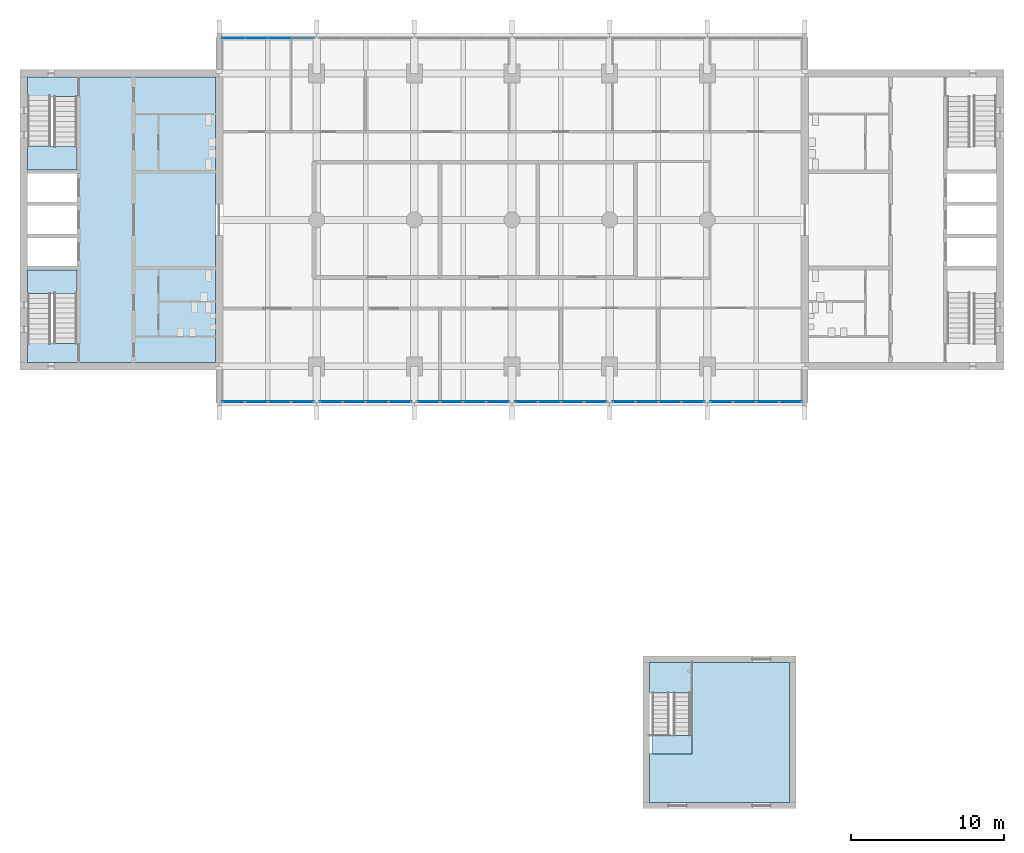
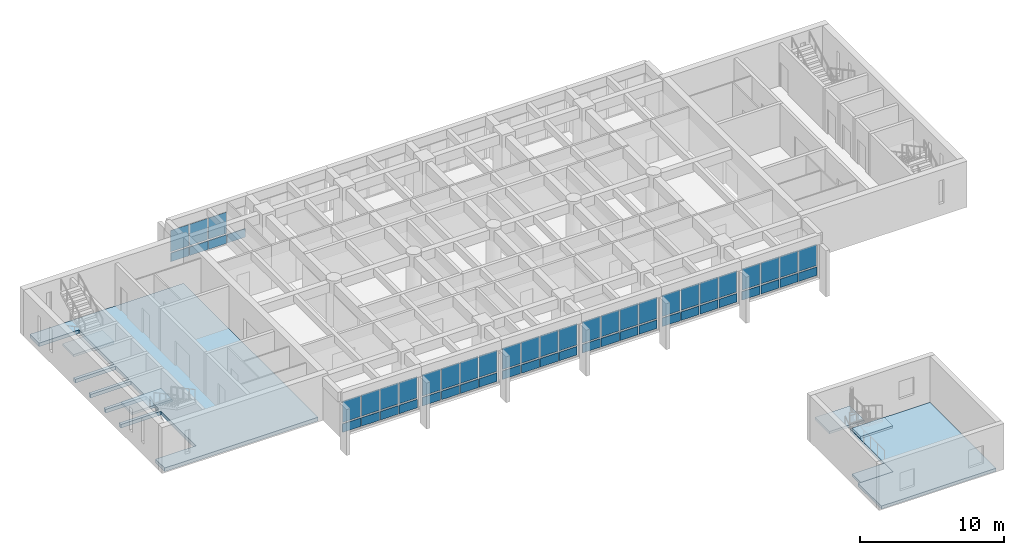
# One storey, part 7 of 19: 55 plates, 7 slabs, 10 elements without a shape of their own.
"""IFC4 building model written with IfcOpenShell, lengths in metres."""

from ifc_helpers import new_model, si_unit, direction, frame, origin, origin_2d, place, context, subcontext, project, spatial, polyline, rectangle, outline, extrude, material, layer, layer_set, type_object, element, aggregate, save


model = new_model("IFC4")

# Units and contexts
model_context = context("Model", 3, precision=1e-05, world=origin(), true_north=direction((0.0, 1.0)))
body_context = subcontext(model_context, "Body", "Model", "MODEL_VIEW")
ifc_project = project(units=[si_unit("LENGTHUNIT", "METRE"), si_unit("AREAUNIT", "SQUARE_METRE"), si_unit("VOLUMEUNIT", "CUBIC_METRE"), si_unit("PLANEANGLEUNIT", "RADIAN"), si_unit("MASSUNIT", "GRAM", prefix="KILO")], contexts=[model_context])

# Site, building, storey
site_placement = place(None, origin())
site = spatial("IfcSite", under=ifc_project, at=site_placement, CompositionType="ELEMENT")
building_placement = place(site_placement, origin())
building = spatial("IfcBuilding", under=site, at=building_placement, Name="Fogon Plaza Fire Station and Headquarters Tower", CompositionType="ELEMENT")
storey_placement = place(building_placement, frame((0.0, 0.0, 21.0)))
storey = spatial("IfcBuildingStorey", under=building, at=storey_placement, Name="L05", CompositionType="ELEMENT", Elevation=21.0)

# Slab
ifc_material_1 = material(Name="Concrete C40", Category="concrete")
ifc_layer_1 = layer(ifc_material_1, 0.300048828125)
ifc_layer_set_1 = layer_set([ifc_layer_1], Name="Concrete C40")
slab_type_1 = type_object("IfcSlabType", Name="Core Floor Slab RC 300", PredefinedType="FLOOR", material=ifc_layer_set_1)
slab_1_placement = place(storey_placement, frame((0.0, 0.0, -0.300048828125)))
element("IfcSlab", 1, at=slab_1_placement, inside=storey, type_object=slab_type_1, Name="Core A floor", PredefinedType="FLOOR", context=body_context, shape_type="SweptSolid", body=[
    extrude(outline(polyline([(13.050048828125, 35.110107421875), (13.050048828125, 33.85009765625), (25.35009765625, 33.85009765625), (25.35009765625, 52.550048828125), (13.050048828125, 52.550048828125), (13.050048828125, 51.2900390625), (16.27490234375, 51.2900390625), (16.27490234375, 46.47509765625), (13.050048828125, 46.47509765625), (13.050048828125, 46.22509765625), (16.27490234375, 46.22509765625), (16.27490234375, 44.375), (13.050048828125, 44.375), (13.050048828125, 44.125), (16.27490234375, 44.125), (16.27490234375, 42.27490234375), (13.050048828125, 42.27490234375), (13.050048828125, 42.02490234375), (16.27490234375, 42.02490234375), (16.27490234375, 40.175048828125), (13.050048828125, 40.175048828125), (13.050048828125, 39.925048828125), (16.27490234375, 39.925048828125), (16.27490234375, 35.110107421875), (13.050048828125, 35.110107421875)])), origin(), (0.0, 0.0, 1.0), 0.300048828125),
])

# Stair, slabs
ifc_material_2 = material(Name="Concrete C40", Category="concrete")
stair_type_1 = type_object("IfcStairType", Name="Drill Stair 1100", PredefinedType="HALF_TURN_STAIR", material=ifc_material_2)
stair_1_placement = place(storey_placement, origin())
stair_1 = element("IfcStair", 2, at=stair_1_placement, inside=storey, type_object=stair_type_1, Name="DT1", PredefinedType="HALF_TURN_STAIR")
ifc_material_3 = material(Name="Concrete C40", Category="concrete")
ifc_layer_2 = layer(ifc_material_3, 0.199951171875)
ifc_layer_set_2 = layer_set([ifc_layer_2], Name="Concrete C40")
slab_type_2 = type_object("IfcSlabType", Name="Drill Stair Landing 200", PredefinedType="LANDING", material=ifc_layer_set_2)
slab_2_placement = place(storey_placement, frame((0.0, 0.0, -0.199951171875)))
slab_2 = element("IfcSlab", 3, at=slab_2_placement, type_object=slab_type_2, Name="DT1 landing 1", PredefinedType="LANDING", context=body_context, shape_type="SweptSolid", body=[
    extrude(outline(polyline([(54.0, 8.199951171875), (56.60009765625, 8.199951171875), (56.60009765625, 9.39990234375), (54.0, 9.39990234375), (54.0, 8.199951171875)])), origin(), (0.0, 0.0, 1.0), 0.199951171875),
])
slab_3_placement = place(storey_placement, frame((0.0, 0.0, 1.75)))
slab_3 = element("IfcSlab", 4, at=slab_3_placement, type_object=slab_type_2, Name="DT1 landing 2", PredefinedType="LANDING", context=body_context, shape_type="SweptSolid", body=[
    extrude(outline(polyline([(53.800048828125, 12.199951171875), (56.60009765625, 12.199951171875), (56.60009765625, 14.199951171875), (53.800048828125, 14.199951171875), (53.800048828125, 12.199951171875)])), origin(), (0.0, 0.0, 1.0), 0.199951171875),
])
slab_4_placement = place(storey_placement, frame((0.0, 0.0, 3.699951171875)))
slab_4 = element("IfcSlab", 5, at=slab_4_placement, type_object=slab_type_2, Name="DT1 landing 3", PredefinedType="LANDING", context=body_context, shape_type="SweptSolid", body=[
    extrude(outline(polyline([(54.0, 8.199951171875), (56.60009765625, 8.199951171875), (56.60009765625, 9.39990234375), (54.0, 9.39990234375), (54.0, 8.199951171875)])), origin(), (0.0, 0.0, 1.0), 0.199951171875),
])
aggregate(stair_1, [slab_2, slab_3, slab_4])

# Slab
ifc_material_4 = material(Name="Concrete C40", Category="concrete")
ifc_layer_3 = layer(ifc_material_4, 0.25)
ifc_layer_set_3 = layer_set([ifc_layer_3], Name="Concrete C40")
slab_type_3 = type_object("IfcSlabType", Name="Floor slab 250 S25", PredefinedType="FLOOR", material=ifc_layer_set_3)
slab_5_placement = place(storey_placement, frame((0.0, 0.0, -0.25)))
element("IfcSlab", 6, at=slab_5_placement, inside=storey, type_object=slab_type_3, Name="slab-drill-L05", PredefinedType="FLOOR", context=body_context, shape_type="SweptSolid", body=[
    extrude(outline(polyline([(63.0, 14.199951171875), (63.0, 5.0), (53.800048828125, 5.0), (53.800048828125, 8.199951171875), (56.60009765625, 8.199951171875), (56.60009765625, 14.199951171875), (63.0, 14.199951171875)])), origin(), (0.0, 0.0, 1.0), 0.25),
])

# Curtain wall, plates
ifc_material_5 = material(Name="Aluminium and glass", Category="aluminium")
ifc_layer_4 = layer(ifc_material_5, 0.14990234375)
ifc_layer_set_4 = layer_set([ifc_layer_4], Name="Aluminium and glass")
curtain_wall_type = type_object("IfcCurtainWallType", Name="Unitised Curtain Wall Run 6100x2880", PredefinedType="NOTDEFINED", material=ifc_layer_set_4)
curtain_wall_1_placement = place(storey_placement, origin())
curtain_wall_1 = element("IfcCurtainWall", 7, at=curtain_wall_1_placement, inside=storey, type_object=curtain_wall_type, Name="CW-6100x2880 S1 L05", PredefinedType="NOTDEFINED")
ifc_material_6 = material(Name="Insulated aluminium spandrel", Category="aluminium")
ifc_layer_5 = layer(ifc_material_6, 0.06005859375)
ifc_layer_set_5 = layer_set([ifc_layer_5], Name="Insulated aluminium spandrel")
plate_type_1 = type_object("IfcPlateType", Name="Insulated Spandrel Panel", PredefinedType="CURTAIN_PANEL", material=ifc_layer_set_5)
plate_1_placement = place(storey_placement, frame((26.534912109375, 31.280029296875, 0.1201171875), z_axis=(0.0, 0.0, 1.0), x_axis=(1.0, 0.0, 0.0)))
plate_1 = element("IfcPlate", 8, at=plate_1_placement, type_object=plate_type_1, Name="SP1 panel 1.1", PredefinedType="CURTAIN_PANEL", context=body_context, shape_type="SweptSolid", body=[
    extrude(rectangle(XDim=1.449951171875, YDim=0.06005859375, at=origin_2d()), origin(), (0.0, 0.0, 1.0), 0.719970703125),
])
plate_2_placement = place(storey_placement, frame((28.044921875, 31.280029296875, 0.1201171875), z_axis=(0.0, 0.0, 1.0), x_axis=(1.0, 0.0, 0.0)))
plate_2 = element("IfcPlate", 9, at=plate_2_placement, type_object=plate_type_1, Name="SP1 panel 2.1", PredefinedType="CURTAIN_PANEL", context=body_context, shape_type="SweptSolid", body=[
    extrude(rectangle(XDim=1.449951171875, YDim=0.06005859375, at=origin_2d()), origin(), (0.0, 0.0, 1.0), 0.719970703125),
])
plate_3_placement = place(storey_placement, frame((29.554931640625, 31.280029296875, 0.1201171875), z_axis=(0.0, 0.0, 1.0), x_axis=(1.0, 0.0, 0.0)))
plate_3 = element("IfcPlate", 10, at=plate_3_placement, type_object=plate_type_1, Name="SP1 panel 3.1", PredefinedType="CURTAIN_PANEL", context=body_context, shape_type="SweptSolid", body=[
    extrude(rectangle(XDim=1.449951171875, YDim=0.06005859375, at=origin_2d()), origin(), (0.0, 0.0, 1.0), 0.719970703125),
])
plate_4_placement = place(storey_placement, frame((31.06494140625, 31.280029296875, 0.1201171875), z_axis=(0.0, 0.0, 1.0), x_axis=(1.0, 0.0, 0.0)))
plate_4 = element("IfcPlate", 11, at=plate_4_placement, type_object=plate_type_1, Name="SP1 panel 4.1", PredefinedType="CURTAIN_PANEL", context=body_context, shape_type="SweptSolid", body=[
    extrude(rectangle(XDim=1.449951171875, YDim=0.06005859375, at=origin_2d()), origin(), (0.0, 0.0, 1.0), 0.719970703125),
])

curtain_wall_2_placement = place(storey_placement, origin())
curtain_wall_2 = element("IfcCurtainWall", 12, at=curtain_wall_2_placement, inside=storey, type_object=curtain_wall_type, Name="CW-6100x2880 S2 L05", PredefinedType="NOTDEFINED")
plate_5_placement = place(storey_placement, frame((32.93505859375, 31.280029296875, 0.1201171875), z_axis=(0.0, 0.0, 1.0), x_axis=(1.0, 0.0, 0.0)))
plate_5 = element("IfcPlate", 13, at=plate_5_placement, type_object=plate_type_1, Name="SP1 panel 1.1", PredefinedType="CURTAIN_PANEL", context=body_context, shape_type="SweptSolid", body=[
    extrude(rectangle(XDim=1.449951171875, YDim=0.06005859375, at=origin_2d()), origin(), (0.0, 0.0, 1.0), 0.719970703125),
])
plate_6_placement = place(storey_placement, frame((34.445068359375, 31.280029296875, 0.1201171875), z_axis=(0.0, 0.0, 1.0), x_axis=(1.0, 0.0, 0.0)))
plate_6 = element("IfcPlate", 14, at=plate_6_placement, type_object=plate_type_1, Name="SP1 panel 2.1", PredefinedType="CURTAIN_PANEL", context=body_context, shape_type="SweptSolid", body=[
    extrude(rectangle(XDim=1.449951171875, YDim=0.06005859375, at=origin_2d()), origin(), (0.0, 0.0, 1.0), 0.719970703125),
])
plate_7_placement = place(storey_placement, frame((35.955078125, 31.280029296875, 0.1201171875), z_axis=(0.0, 0.0, 1.0), x_axis=(1.0, 0.0, 0.0)))
plate_7 = element("IfcPlate", 15, at=plate_7_placement, type_object=plate_type_1, Name="SP1 panel 3.1", PredefinedType="CURTAIN_PANEL", context=body_context, shape_type="SweptSolid", body=[
    extrude(rectangle(XDim=1.449951171875, YDim=0.06005859375, at=origin_2d()), origin(), (0.0, 0.0, 1.0), 0.719970703125),
])
plate_8_placement = place(storey_placement, frame((37.465087890625, 31.280029296875, 0.1201171875), z_axis=(0.0, 0.0, 1.0), x_axis=(1.0, 0.0, 0.0)))
plate_8 = element("IfcPlate", 16, at=plate_8_placement, type_object=plate_type_1, Name="SP1 panel 4.1", PredefinedType="CURTAIN_PANEL", context=body_context, shape_type="SweptSolid", body=[
    extrude(rectangle(XDim=1.449951171875, YDim=0.06005859375, at=origin_2d()), origin(), (0.0, 0.0, 1.0), 0.719970703125),
])

curtain_wall_3_placement = place(storey_placement, origin())
curtain_wall_3 = element("IfcCurtainWall", 17, at=curtain_wall_3_placement, inside=storey, type_object=curtain_wall_type, Name="CW-6100x2880 S3 L05", PredefinedType="NOTDEFINED")
plate_9_placement = place(storey_placement, frame((39.3349609375, 31.280029296875, 0.1201171875), z_axis=(0.0, 0.0, 1.0), x_axis=(1.0, 0.0, 0.0)))
plate_9 = element("IfcPlate", 18, at=plate_9_placement, type_object=plate_type_1, Name="SP1 panel 1.1", PredefinedType="CURTAIN_PANEL", context=body_context, shape_type="SweptSolid", body=[
    extrude(rectangle(XDim=1.449951171875, YDim=0.06005859375, at=origin_2d()), origin(), (0.0, 0.0, 1.0), 0.719970703125),
])
plate_10_placement = place(storey_placement, frame((40.844970703125, 31.280029296875, 0.1201171875), z_axis=(0.0, 0.0, 1.0), x_axis=(1.0, 0.0, 0.0)))
plate_10 = element("IfcPlate", 19, at=plate_10_placement, type_object=plate_type_1, Name="SP1 panel 2.1", PredefinedType="CURTAIN_PANEL", context=body_context, shape_type="SweptSolid", body=[
    extrude(rectangle(XDim=1.449951171875, YDim=0.06005859375, at=origin_2d()), origin(), (0.0, 0.0, 1.0), 0.719970703125),
])
plate_11_placement = place(storey_placement, frame((42.35498046875, 31.280029296875, 0.1201171875), z_axis=(0.0, 0.0, 1.0), x_axis=(1.0, 0.0, 0.0)))
plate_11 = element("IfcPlate", 20, at=plate_11_placement, type_object=plate_type_1, Name="SP1 panel 3.1", PredefinedType="CURTAIN_PANEL", context=body_context, shape_type="SweptSolid", body=[
    extrude(rectangle(XDim=1.449951171875, YDim=0.06005859375, at=origin_2d()), origin(), (0.0, 0.0, 1.0), 0.719970703125),
])
plate_12_placement = place(storey_placement, frame((43.864990234375, 31.280029296875, 0.1201171875), z_axis=(0.0, 0.0, 1.0), x_axis=(1.0, 0.0, 0.0)))
plate_12 = element("IfcPlate", 21, at=plate_12_placement, type_object=plate_type_1, Name="SP1 panel 4.1", PredefinedType="CURTAIN_PANEL", context=body_context, shape_type="SweptSolid", body=[
    extrude(rectangle(XDim=1.449951171875, YDim=0.06005859375, at=origin_2d()), origin(), (0.0, 0.0, 1.0), 0.719970703125),
])

curtain_wall_4_placement = place(storey_placement, origin())
curtain_wall_4 = element("IfcCurtainWall", 22, at=curtain_wall_4_placement, inside=storey, type_object=curtain_wall_type, Name="CW-6100x2880 S4 L05", PredefinedType="NOTDEFINED")
plate_13_placement = place(storey_placement, frame((45.735107421875, 31.280029296875, 0.1201171875), z_axis=(0.0, 0.0, 1.0), x_axis=(1.0, 0.0, 0.0)))
plate_13 = element("IfcPlate", 23, at=plate_13_placement, type_object=plate_type_1, Name="SP1 panel 1.1", PredefinedType="CURTAIN_PANEL", context=body_context, shape_type="SweptSolid", body=[
    extrude(rectangle(XDim=1.449951171875, YDim=0.06005859375, at=origin_2d()), origin(), (0.0, 0.0, 1.0), 0.719970703125),
])
plate_14_placement = place(storey_placement, frame((47.2451171875, 31.280029296875, 0.1201171875), z_axis=(0.0, 0.0, 1.0), x_axis=(1.0, 0.0, 0.0)))
plate_14 = element("IfcPlate", 24, at=plate_14_placement, type_object=plate_type_1, Name="SP1 panel 2.1", PredefinedType="CURTAIN_PANEL", context=body_context, shape_type="SweptSolid", body=[
    extrude(rectangle(XDim=1.449951171875, YDim=0.06005859375, at=origin_2d()), origin(), (0.0, 0.0, 1.0), 0.719970703125),
])
plate_15_placement = place(storey_placement, frame((48.7548828125, 31.280029296875, 0.1201171875), z_axis=(0.0, 0.0, 1.0), x_axis=(1.0, 0.0, 0.0)))
plate_15 = element("IfcPlate", 25, at=plate_15_placement, type_object=plate_type_1, Name="SP1 panel 3.1", PredefinedType="CURTAIN_PANEL", context=body_context, shape_type="SweptSolid", body=[
    extrude(rectangle(XDim=1.449951171875, YDim=0.06005859375, at=origin_2d()), origin(), (0.0, 0.0, 1.0), 0.719970703125),
])
plate_16_placement = place(storey_placement, frame((50.264892578125, 31.280029296875, 0.1201171875), z_axis=(0.0, 0.0, 1.0), x_axis=(1.0, 0.0, 0.0)))
plate_16 = element("IfcPlate", 26, at=plate_16_placement, type_object=plate_type_1, Name="SP1 panel 4.1", PredefinedType="CURTAIN_PANEL", context=body_context, shape_type="SweptSolid", body=[
    extrude(rectangle(XDim=1.449951171875, YDim=0.06005859375, at=origin_2d()), origin(), (0.0, 0.0, 1.0), 0.719970703125),
])

curtain_wall_5_placement = place(storey_placement, origin())
curtain_wall_5 = element("IfcCurtainWall", 27, at=curtain_wall_5_placement, inside=storey, type_object=curtain_wall_type, Name="CW-6100x2880 S5 L05", PredefinedType="NOTDEFINED")
plate_17_placement = place(storey_placement, frame((52.135009765625, 31.280029296875, 0.1201171875), z_axis=(0.0, 0.0, 1.0), x_axis=(1.0, 0.0, 0.0)))
plate_17 = element("IfcPlate", 28, at=plate_17_placement, type_object=plate_type_1, Name="SP1 panel 1.1", PredefinedType="CURTAIN_PANEL", context=body_context, shape_type="SweptSolid", body=[
    extrude(rectangle(XDim=1.449951171875, YDim=0.06005859375, at=origin_2d()), origin(), (0.0, 0.0, 1.0), 0.719970703125),
])
plate_18_placement = place(storey_placement, frame((53.64501953125, 31.280029296875, 0.1201171875), z_axis=(0.0, 0.0, 1.0), x_axis=(1.0, 0.0, 0.0)))
plate_18 = element("IfcPlate", 29, at=plate_18_placement, type_object=plate_type_1, Name="SP1 panel 2.1", PredefinedType="CURTAIN_PANEL", context=body_context, shape_type="SweptSolid", body=[
    extrude(rectangle(XDim=1.449951171875, YDim=0.06005859375, at=origin_2d()), origin(), (0.0, 0.0, 1.0), 0.719970703125),
])
plate_19_placement = place(storey_placement, frame((55.155029296875, 31.280029296875, 0.1201171875), z_axis=(0.0, 0.0, 1.0), x_axis=(1.0, 0.0, 0.0)))
plate_19 = element("IfcPlate", 30, at=plate_19_placement, type_object=plate_type_1, Name="SP1 panel 3.1", PredefinedType="CURTAIN_PANEL", context=body_context, shape_type="SweptSolid", body=[
    extrude(rectangle(XDim=1.449951171875, YDim=0.06005859375, at=origin_2d()), origin(), (0.0, 0.0, 1.0), 0.719970703125),
])
plate_20_placement = place(storey_placement, frame((56.6650390625, 31.280029296875, 0.1201171875), z_axis=(0.0, 0.0, 1.0), x_axis=(1.0, 0.0, 0.0)))
plate_20 = element("IfcPlate", 31, at=plate_20_placement, type_object=plate_type_1, Name="SP1 panel 4.1", PredefinedType="CURTAIN_PANEL", context=body_context, shape_type="SweptSolid", body=[
    extrude(rectangle(XDim=1.449951171875, YDim=0.06005859375, at=origin_2d()), origin(), (0.0, 0.0, 1.0), 0.719970703125),
])

curtain_wall_6_placement = place(storey_placement, origin())
curtain_wall_6 = element("IfcCurtainWall", 32, at=curtain_wall_6_placement, inside=storey, type_object=curtain_wall_type, Name="CW-6100x2880 S6 L05", PredefinedType="NOTDEFINED")
plate_21_placement = place(storey_placement, frame((58.534912109375, 31.280029296875, 0.1201171875), z_axis=(0.0, 0.0, 1.0), x_axis=(1.0, 0.0, 0.0)))
plate_21 = element("IfcPlate", 33, at=plate_21_placement, type_object=plate_type_1, Name="SP1 panel 1.1", PredefinedType="CURTAIN_PANEL", context=body_context, shape_type="SweptSolid", body=[
    extrude(rectangle(XDim=1.449951171875, YDim=0.06005859375, at=origin_2d()), origin(), (0.0, 0.0, 1.0), 0.719970703125),
])
plate_22_placement = place(storey_placement, frame((60.044921875, 31.280029296875, 0.1201171875), z_axis=(0.0, 0.0, 1.0), x_axis=(1.0, 0.0, 0.0)))
plate_22 = element("IfcPlate", 34, at=plate_22_placement, type_object=plate_type_1, Name="SP1 panel 2.1", PredefinedType="CURTAIN_PANEL", context=body_context, shape_type="SweptSolid", body=[
    extrude(rectangle(XDim=1.449951171875, YDim=0.06005859375, at=origin_2d()), origin(), (0.0, 0.0, 1.0), 0.719970703125),
])
plate_23_placement = place(storey_placement, frame((61.554931640625, 31.280029296875, 0.1201171875), z_axis=(0.0, 0.0, 1.0), x_axis=(1.0, 0.0, 0.0)))
plate_23 = element("IfcPlate", 35, at=plate_23_placement, type_object=plate_type_1, Name="SP1 panel 3.1", PredefinedType="CURTAIN_PANEL", context=body_context, shape_type="SweptSolid", body=[
    extrude(rectangle(XDim=1.449951171875, YDim=0.06005859375, at=origin_2d()), origin(), (0.0, 0.0, 1.0), 0.719970703125),
])
plate_24_placement = place(storey_placement, frame((63.06494140625, 31.280029296875, 0.1201171875), z_axis=(0.0, 0.0, 1.0), x_axis=(1.0, 0.0, 0.0)))
plate_24 = element("IfcPlate", 36, at=plate_24_placement, type_object=plate_type_1, Name="SP1 panel 4.1", PredefinedType="CURTAIN_PANEL", context=body_context, shape_type="SweptSolid", body=[
    extrude(rectangle(XDim=1.449951171875, YDim=0.06005859375, at=origin_2d()), origin(), (0.0, 0.0, 1.0), 0.719970703125),
])

curtain_wall_7_placement = place(storey_placement, origin())
curtain_wall_7 = element("IfcCurtainWall", 37, at=curtain_wall_7_placement, inside=storey, type_object=curtain_wall_type, Name="CW-6100x2880 N1 L05", PredefinedType="NOTDEFINED")
plate_25_placement = place(storey_placement, frame((26.534912109375, 55.1201171875, 0.1201171875), z_axis=(0.0, 0.0, 1.0), x_axis=(1.0, 0.0, 0.0)))
plate_25 = element("IfcPlate", 38, at=plate_25_placement, type_object=plate_type_1, Name="SP1 panel 1.1", PredefinedType="CURTAIN_PANEL", context=body_context, shape_type="SweptSolid", body=[
    extrude(rectangle(XDim=1.449951171875, YDim=0.06005859375, at=origin_2d()), origin(), (0.0, 0.0, 1.0), 0.719970703125),
])
plate_26_placement = place(storey_placement, frame((28.044921875, 55.1201171875, 0.1201171875), z_axis=(0.0, 0.0, 1.0), x_axis=(1.0, 0.0, 0.0)))
plate_26 = element("IfcPlate", 39, at=plate_26_placement, type_object=plate_type_1, Name="SP1 panel 2.1", PredefinedType="CURTAIN_PANEL", context=body_context, shape_type="SweptSolid", body=[
    extrude(rectangle(XDim=1.449951171875, YDim=0.06005859375, at=origin_2d()), origin(), (0.0, 0.0, 1.0), 0.719970703125),
])
plate_27_placement = place(storey_placement, frame((29.554931640625, 55.1201171875, 0.1201171875), z_axis=(0.0, 0.0, 1.0), x_axis=(1.0, 0.0, 0.0)))
plate_27 = element("IfcPlate", 40, at=plate_27_placement, type_object=plate_type_1, Name="SP1 panel 3.1", PredefinedType="CURTAIN_PANEL", context=body_context, shape_type="SweptSolid", body=[
    extrude(rectangle(XDim=1.449951171875, YDim=0.06005859375, at=origin_2d()), origin(), (0.0, 0.0, 1.0), 0.719970703125),
])
plate_28_placement = place(storey_placement, frame((31.06494140625, 55.1201171875, 0.1201171875), z_axis=(0.0, 0.0, 1.0), x_axis=(1.0, 0.0, 0.0)))
plate_28 = element("IfcPlate", 41, at=plate_28_placement, type_object=plate_type_1, Name="SP1 panel 4.1", PredefinedType="CURTAIN_PANEL", context=body_context, shape_type="SweptSolid", body=[
    extrude(rectangle(XDim=1.449951171875, YDim=0.06005859375, at=origin_2d()), origin(), (0.0, 0.0, 1.0), 0.719970703125),
])

# Stair, slab
ifc_material_7 = material(Name="Concrete C40", Category="concrete")
stair_type_2 = type_object("IfcStairType", Name="Exit Stair Two Flights", PredefinedType="TWO_STRAIGHT_RUN_STAIR", material=ifc_material_7)
stair_2_placement = place(storey_placement, origin())
stair_2 = element("IfcStair", 42, at=stair_2_placement, inside=storey, type_object=stair_type_2, Name="Stair ST1", PredefinedType="TWO_STRAIGHT_RUN_STAIR")
ifc_material_8 = material(Name="Concrete C40", Category="concrete")
ifc_layer_6 = layer(ifc_material_8, 0.300048828125)
ifc_layer_set_6 = layer_set([ifc_layer_6], Name="Concrete C40")
slab_type_4 = type_object("IfcSlabType", Name="Stair Landing RC 300", PredefinedType="LANDING", material=ifc_layer_set_6)
slab_6_placement = place(storey_placement, frame((0.0, 0.0, 1.75)))
slab_6 = element("IfcSlab", 43, at=slab_6_placement, type_object=slab_type_4, Name="ST1 landing L07", PredefinedType="LANDING", context=body_context, shape_type="SweptSolid", body=[
    extrude(outline(polyline([(16.27490234375, 38.375), (16.27490234375, 39.925048828125), (13.050048828125, 39.925048828125), (13.050048828125, 38.375), (16.27490234375, 38.375)])), origin(), (0.0, 0.0, 1.0), 0.199951171875),
])
aggregate(stair_2, [slab_6])

stair_3_placement = place(storey_placement, origin())
stair_3 = element("IfcStair", 44, at=stair_3_placement, inside=storey, type_object=stair_type_2, Name="Stair ST2", PredefinedType="TWO_STRAIGHT_RUN_STAIR")
slab_7_placement = place(storey_placement, frame((0.0, 0.0, 1.75)))
slab_7 = element("IfcSlab", 45, at=slab_7_placement, type_object=slab_type_4, Name="ST2 landing L07", PredefinedType="LANDING", context=body_context, shape_type="SweptSolid", body=[
    extrude(outline(polyline([(16.27490234375, 46.47509765625), (16.27490234375, 48.02490234375), (13.050048828125, 48.02490234375), (13.050048828125, 46.47509765625), (16.27490234375, 46.47509765625)])), origin(), (0.0, 0.0, 1.0), 0.199951171875),
])
aggregate(stair_3, [slab_7])

# Plate
ifc_material_9 = material(Name="Low-e double glazing", Category="glass")
ifc_layer_7 = layer(ifc_material_9, 0.028076171875)
ifc_layer_set_7 = layer_set([ifc_layer_7], Name="Low-e double glazing")
plate_type_2 = type_object("IfcPlateType", Name="Vision Glass Panel 1450x1800", PredefinedType="CURTAIN_PANEL", material=ifc_layer_set_7)
plate_29_placement = place(storey_placement, frame((26.534912109375, 31.280029296875, 0.9599609375), z_axis=(0.0, 0.0, 1.0), x_axis=(1.0, 0.0, 0.0)))
plate_29 = element("IfcPlate", 46, at=plate_29_placement, type_object=plate_type_2, Name="VG-1450x1800 panel 1.2", PredefinedType="CURTAIN_PANEL", context=body_context, shape_type="SweptSolid", body=[
    extrude(rectangle(XDim=1.449951171875, YDim=0.028076171875, at=origin_2d()), origin(), (0.0, 0.0, 1.0), 1.800048828125),
])

plate_30_placement = place(storey_placement, frame((28.044921875, 31.280029296875, 0.9599609375), z_axis=(0.0, 0.0, 1.0), x_axis=(1.0, 0.0, 0.0)))
plate_30 = element("IfcPlate", 47, at=plate_30_placement, type_object=plate_type_2, Name="VG-1450x1800 panel 2.2", PredefinedType="CURTAIN_PANEL", context=body_context, shape_type="SweptSolid", body=[
    extrude(rectangle(XDim=1.449951171875, YDim=0.028076171875, at=origin_2d()), origin(), (0.0, 0.0, 1.0), 1.800048828125),
])

plate_31_placement = place(storey_placement, frame((29.554931640625, 31.280029296875, 0.9599609375), z_axis=(0.0, 0.0, 1.0), x_axis=(1.0, 0.0, 0.0)))
plate_31 = element("IfcPlate", 48, at=plate_31_placement, type_object=plate_type_2, Name="VG-1450x1800 panel 3.2", PredefinedType="CURTAIN_PANEL", context=body_context, shape_type="SweptSolid", body=[
    extrude(rectangle(XDim=1.449951171875, YDim=0.028076171875, at=origin_2d()), origin(), (0.0, 0.0, 1.0), 1.800048828125),
])

plate_32_placement = place(storey_placement, frame((31.06494140625, 31.280029296875, 0.9599609375), z_axis=(0.0, 0.0, 1.0), x_axis=(1.0, 0.0, 0.0)))
plate_32 = element("IfcPlate", 49, at=plate_32_placement, type_object=plate_type_2, Name="VG-1450x1800 panel 4.2", PredefinedType="CURTAIN_PANEL", context=body_context, shape_type="SweptSolid", body=[
    extrude(rectangle(XDim=1.449951171875, YDim=0.028076171875, at=origin_2d()), origin(), (0.0, 0.0, 1.0), 1.800048828125),
])

aggregate(curtain_wall_1, [plate_1, plate_29, plate_2, plate_30, plate_3, plate_31, plate_4, plate_32])

plate_33_placement = place(storey_placement, frame((32.93505859375, 31.280029296875, 0.9599609375), z_axis=(0.0, 0.0, 1.0), x_axis=(1.0, 0.0, 0.0)))
plate_33 = element("IfcPlate", 50, at=plate_33_placement, type_object=plate_type_2, Name="VG-1450x1800 panel 1.2", PredefinedType="CURTAIN_PANEL", context=body_context, shape_type="SweptSolid", body=[
    extrude(rectangle(XDim=1.449951171875, YDim=0.028076171875, at=origin_2d()), origin(), (0.0, 0.0, 1.0), 1.800048828125),
])

plate_34_placement = place(storey_placement, frame((34.445068359375, 31.280029296875, 0.9599609375), z_axis=(0.0, 0.0, 1.0), x_axis=(1.0, 0.0, 0.0)))
plate_34 = element("IfcPlate", 51, at=plate_34_placement, type_object=plate_type_2, Name="VG-1450x1800 panel 2.2", PredefinedType="CURTAIN_PANEL", context=body_context, shape_type="SweptSolid", body=[
    extrude(rectangle(XDim=1.449951171875, YDim=0.028076171875, at=origin_2d()), origin(), (0.0, 0.0, 1.0), 1.800048828125),
])

plate_35_placement = place(storey_placement, frame((35.955078125, 31.280029296875, 0.9599609375), z_axis=(0.0, 0.0, 1.0), x_axis=(1.0, 0.0, 0.0)))
plate_35 = element("IfcPlate", 52, at=plate_35_placement, type_object=plate_type_2, Name="VG-1450x1800 panel 3.2", PredefinedType="CURTAIN_PANEL", context=body_context, shape_type="SweptSolid", body=[
    extrude(rectangle(XDim=1.449951171875, YDim=0.028076171875, at=origin_2d()), origin(), (0.0, 0.0, 1.0), 1.800048828125),
])

plate_36_placement = place(storey_placement, frame((37.465087890625, 31.280029296875, 0.9599609375), z_axis=(0.0, 0.0, 1.0), x_axis=(1.0, 0.0, 0.0)))
plate_36 = element("IfcPlate", 53, at=plate_36_placement, type_object=plate_type_2, Name="VG-1450x1800 panel 4.2", PredefinedType="CURTAIN_PANEL", context=body_context, shape_type="SweptSolid", body=[
    extrude(rectangle(XDim=1.449951171875, YDim=0.028076171875, at=origin_2d()), origin(), (0.0, 0.0, 1.0), 1.800048828125),
])

aggregate(curtain_wall_2, [plate_5, plate_33, plate_6, plate_34, plate_7, plate_35, plate_8, plate_36])

plate_37_placement = place(storey_placement, frame((39.3349609375, 31.280029296875, 0.9599609375), z_axis=(0.0, 0.0, 1.0), x_axis=(1.0, 0.0, 0.0)))
plate_37 = element("IfcPlate", 54, at=plate_37_placement, type_object=plate_type_2, Name="VG-1450x1800 panel 1.2", PredefinedType="CURTAIN_PANEL", context=body_context, shape_type="SweptSolid", body=[
    extrude(rectangle(XDim=1.449951171875, YDim=0.028076171875, at=origin_2d()), origin(), (0.0, 0.0, 1.0), 1.800048828125),
])

plate_38_placement = place(storey_placement, frame((40.844970703125, 31.280029296875, 0.9599609375), z_axis=(0.0, 0.0, 1.0), x_axis=(1.0, 0.0, 0.0)))
plate_38 = element("IfcPlate", 55, at=plate_38_placement, type_object=plate_type_2, Name="VG-1450x1800 panel 2.2", PredefinedType="CURTAIN_PANEL", context=body_context, shape_type="SweptSolid", body=[
    extrude(rectangle(XDim=1.449951171875, YDim=0.028076171875, at=origin_2d()), origin(), (0.0, 0.0, 1.0), 1.800048828125),
])

plate_39_placement = place(storey_placement, frame((42.35498046875, 31.280029296875, 0.9599609375), z_axis=(0.0, 0.0, 1.0), x_axis=(1.0, 0.0, 0.0)))
plate_39 = element("IfcPlate", 56, at=plate_39_placement, type_object=plate_type_2, Name="VG-1450x1800 panel 3.2", PredefinedType="CURTAIN_PANEL", context=body_context, shape_type="SweptSolid", body=[
    extrude(rectangle(XDim=1.449951171875, YDim=0.028076171875, at=origin_2d()), origin(), (0.0, 0.0, 1.0), 1.800048828125),
])

plate_40_placement = place(storey_placement, frame((43.864990234375, 31.280029296875, 0.9599609375), z_axis=(0.0, 0.0, 1.0), x_axis=(1.0, 0.0, 0.0)))
plate_40 = element("IfcPlate", 57, at=plate_40_placement, type_object=plate_type_2, Name="VG-1450x1800 panel 4.2", PredefinedType="CURTAIN_PANEL", context=body_context, shape_type="SweptSolid", body=[
    extrude(rectangle(XDim=1.449951171875, YDim=0.028076171875, at=origin_2d()), origin(), (0.0, 0.0, 1.0), 1.800048828125),
])

aggregate(curtain_wall_3, [plate_9, plate_37, plate_10, plate_38, plate_11, plate_39, plate_12, plate_40])

plate_41_placement = place(storey_placement, frame((45.735107421875, 31.280029296875, 0.9599609375), z_axis=(0.0, 0.0, 1.0), x_axis=(1.0, 0.0, 0.0)))
plate_41 = element("IfcPlate", 58, at=plate_41_placement, type_object=plate_type_2, Name="VG-1450x1800 panel 1.2", PredefinedType="CURTAIN_PANEL", context=body_context, shape_type="SweptSolid", body=[
    extrude(rectangle(XDim=1.449951171875, YDim=0.028076171875, at=origin_2d()), origin(), (0.0, 0.0, 1.0), 1.800048828125),
])

plate_42_placement = place(storey_placement, frame((47.2451171875, 31.280029296875, 0.9599609375), z_axis=(0.0, 0.0, 1.0), x_axis=(1.0, 0.0, 0.0)))
plate_42 = element("IfcPlate", 59, at=plate_42_placement, type_object=plate_type_2, Name="VG-1450x1800 panel 2.2", PredefinedType="CURTAIN_PANEL", context=body_context, shape_type="SweptSolid", body=[
    extrude(rectangle(XDim=1.449951171875, YDim=0.028076171875, at=origin_2d()), origin(), (0.0, 0.0, 1.0), 1.800048828125),
])

plate_43_placement = place(storey_placement, frame((48.7548828125, 31.280029296875, 0.9599609375), z_axis=(0.0, 0.0, 1.0), x_axis=(1.0, 0.0, 0.0)))
plate_43 = element("IfcPlate", 60, at=plate_43_placement, type_object=plate_type_2, Name="VG-1450x1800 panel 3.2", PredefinedType="CURTAIN_PANEL", context=body_context, shape_type="SweptSolid", body=[
    extrude(rectangle(XDim=1.449951171875, YDim=0.028076171875, at=origin_2d()), origin(), (0.0, 0.0, 1.0), 1.800048828125),
])

plate_44_placement = place(storey_placement, frame((50.264892578125, 31.280029296875, 0.9599609375), z_axis=(0.0, 0.0, 1.0), x_axis=(1.0, 0.0, 0.0)))
plate_44 = element("IfcPlate", 61, at=plate_44_placement, type_object=plate_type_2, Name="VG-1450x1800 panel 4.2", PredefinedType="CURTAIN_PANEL", context=body_context, shape_type="SweptSolid", body=[
    extrude(rectangle(XDim=1.449951171875, YDim=0.028076171875, at=origin_2d()), origin(), (0.0, 0.0, 1.0), 1.800048828125),
])

aggregate(curtain_wall_4, [plate_13, plate_41, plate_14, plate_42, plate_15, plate_43, plate_16, plate_44])

plate_45_placement = place(storey_placement, frame((52.135009765625, 31.280029296875, 0.9599609375), z_axis=(0.0, 0.0, 1.0), x_axis=(1.0, 0.0, 0.0)))
plate_45 = element("IfcPlate", 62, at=plate_45_placement, type_object=plate_type_2, Name="VG-1450x1800 panel 1.2", PredefinedType="CURTAIN_PANEL", context=body_context, shape_type="SweptSolid", body=[
    extrude(rectangle(XDim=1.449951171875, YDim=0.028076171875, at=origin_2d()), origin(), (0.0, 0.0, 1.0), 1.800048828125),
])

plate_46_placement = place(storey_placement, frame((53.64501953125, 31.280029296875, 0.9599609375), z_axis=(0.0, 0.0, 1.0), x_axis=(1.0, 0.0, 0.0)))
plate_46 = element("IfcPlate", 63, at=plate_46_placement, type_object=plate_type_2, Name="VG-1450x1800 panel 2.2", PredefinedType="CURTAIN_PANEL", context=body_context, shape_type="SweptSolid", body=[
    extrude(rectangle(XDim=1.449951171875, YDim=0.028076171875, at=origin_2d()), origin(), (0.0, 0.0, 1.0), 1.800048828125),
])

plate_47_placement = place(storey_placement, frame((55.155029296875, 31.280029296875, 0.9599609375), z_axis=(0.0, 0.0, 1.0), x_axis=(1.0, 0.0, 0.0)))
plate_47 = element("IfcPlate", 64, at=plate_47_placement, type_object=plate_type_2, Name="VG-1450x1800 panel 3.2", PredefinedType="CURTAIN_PANEL", context=body_context, shape_type="SweptSolid", body=[
    extrude(rectangle(XDim=1.449951171875, YDim=0.028076171875, at=origin_2d()), origin(), (0.0, 0.0, 1.0), 1.800048828125),
])

plate_48_placement = place(storey_placement, frame((56.6650390625, 31.280029296875, 0.9599609375), z_axis=(0.0, 0.0, 1.0), x_axis=(1.0, 0.0, 0.0)))
plate_48 = element("IfcPlate", 65, at=plate_48_placement, type_object=plate_type_2, Name="VG-1450x1800 panel 4.2", PredefinedType="CURTAIN_PANEL", context=body_context, shape_type="SweptSolid", body=[
    extrude(rectangle(XDim=1.449951171875, YDim=0.028076171875, at=origin_2d()), origin(), (0.0, 0.0, 1.0), 1.800048828125),
])

aggregate(curtain_wall_5, [plate_17, plate_45, plate_18, plate_46, plate_19, plate_47, plate_20, plate_48])

plate_49_placement = place(storey_placement, frame((58.534912109375, 31.280029296875, 0.9599609375), z_axis=(0.0, 0.0, 1.0), x_axis=(1.0, 0.0, 0.0)))
plate_49 = element("IfcPlate", 66, at=plate_49_placement, type_object=plate_type_2, Name="VG-1450x1800 panel 1.2", PredefinedType="CURTAIN_PANEL", context=body_context, shape_type="SweptSolid", body=[
    extrude(rectangle(XDim=1.449951171875, YDim=0.028076171875, at=origin_2d()), origin(), (0.0, 0.0, 1.0), 1.800048828125),
])

plate_50_placement = place(storey_placement, frame((60.044921875, 31.280029296875, 0.9599609375), z_axis=(0.0, 0.0, 1.0), x_axis=(1.0, 0.0, 0.0)))
plate_50 = element("IfcPlate", 67, at=plate_50_placement, type_object=plate_type_2, Name="VG-1450x1800 panel 2.2", PredefinedType="CURTAIN_PANEL", context=body_context, shape_type="SweptSolid", body=[
    extrude(rectangle(XDim=1.449951171875, YDim=0.028076171875, at=origin_2d()), origin(), (0.0, 0.0, 1.0), 1.800048828125),
])

plate_51_placement = place(storey_placement, frame((61.554931640625, 31.280029296875, 0.9599609375), z_axis=(0.0, 0.0, 1.0), x_axis=(1.0, 0.0, 0.0)))
plate_51 = element("IfcPlate", 68, at=plate_51_placement, type_object=plate_type_2, Name="VG-1450x1800 panel 3.2", PredefinedType="CURTAIN_PANEL", context=body_context, shape_type="SweptSolid", body=[
    extrude(rectangle(XDim=1.449951171875, YDim=0.028076171875, at=origin_2d()), origin(), (0.0, 0.0, 1.0), 1.800048828125),
])

plate_52_placement = place(storey_placement, frame((63.06494140625, 31.280029296875, 0.9599609375), z_axis=(0.0, 0.0, 1.0), x_axis=(1.0, 0.0, 0.0)))
plate_52 = element("IfcPlate", 69, at=plate_52_placement, type_object=plate_type_2, Name="VG-1450x1800 panel 4.2", PredefinedType="CURTAIN_PANEL", context=body_context, shape_type="SweptSolid", body=[
    extrude(rectangle(XDim=1.449951171875, YDim=0.028076171875, at=origin_2d()), origin(), (0.0, 0.0, 1.0), 1.800048828125),
])

aggregate(curtain_wall_6, [plate_21, plate_49, plate_22, plate_50, plate_23, plate_51, plate_24, plate_52])

plate_53_placement = place(storey_placement, frame((26.534912109375, 55.1201171875, 0.9599609375), z_axis=(0.0, 0.0, 1.0), x_axis=(1.0, 0.0, 0.0)))
plate_53 = element("IfcPlate", 70, at=plate_53_placement, type_object=plate_type_2, Name="VG-1450x1800 panel 1.2", PredefinedType="CURTAIN_PANEL", context=body_context, shape_type="SweptSolid", body=[
    extrude(rectangle(XDim=1.449951171875, YDim=0.028076171875, at=origin_2d()), origin(), (0.0, 0.0, 1.0), 1.800048828125),
])

plate_54_placement = place(storey_placement, frame((28.044921875, 55.1201171875, 0.9599609375), z_axis=(0.0, 0.0, 1.0), x_axis=(1.0, 0.0, 0.0)))
plate_54 = element("IfcPlate", 71, at=plate_54_placement, type_object=plate_type_2, Name="VG-1450x1800 panel 2.2", PredefinedType="CURTAIN_PANEL", context=body_context, shape_type="SweptSolid", body=[
    extrude(rectangle(XDim=1.449951171875, YDim=0.028076171875, at=origin_2d()), origin(), (0.0, 0.0, 1.0), 1.800048828125),
])

plate_55_placement = place(storey_placement, frame((29.554931640625, 55.1201171875, 0.9599609375), z_axis=(0.0, 0.0, 1.0), x_axis=(1.0, 0.0, 0.0)))
plate_55 = element("IfcPlate", 72, at=plate_55_placement, type_object=plate_type_2, Name="VG-1450x1800 panel 3.2", PredefinedType="CURTAIN_PANEL", context=body_context, shape_type="SweptSolid", body=[
    extrude(rectangle(XDim=1.449951171875, YDim=0.028076171875, at=origin_2d()), origin(), (0.0, 0.0, 1.0), 1.800048828125),
])

aggregate(curtain_wall_7, [plate_25, plate_53, plate_26, plate_54, plate_27, plate_55, plate_28])

save(model, "model.ifc")
